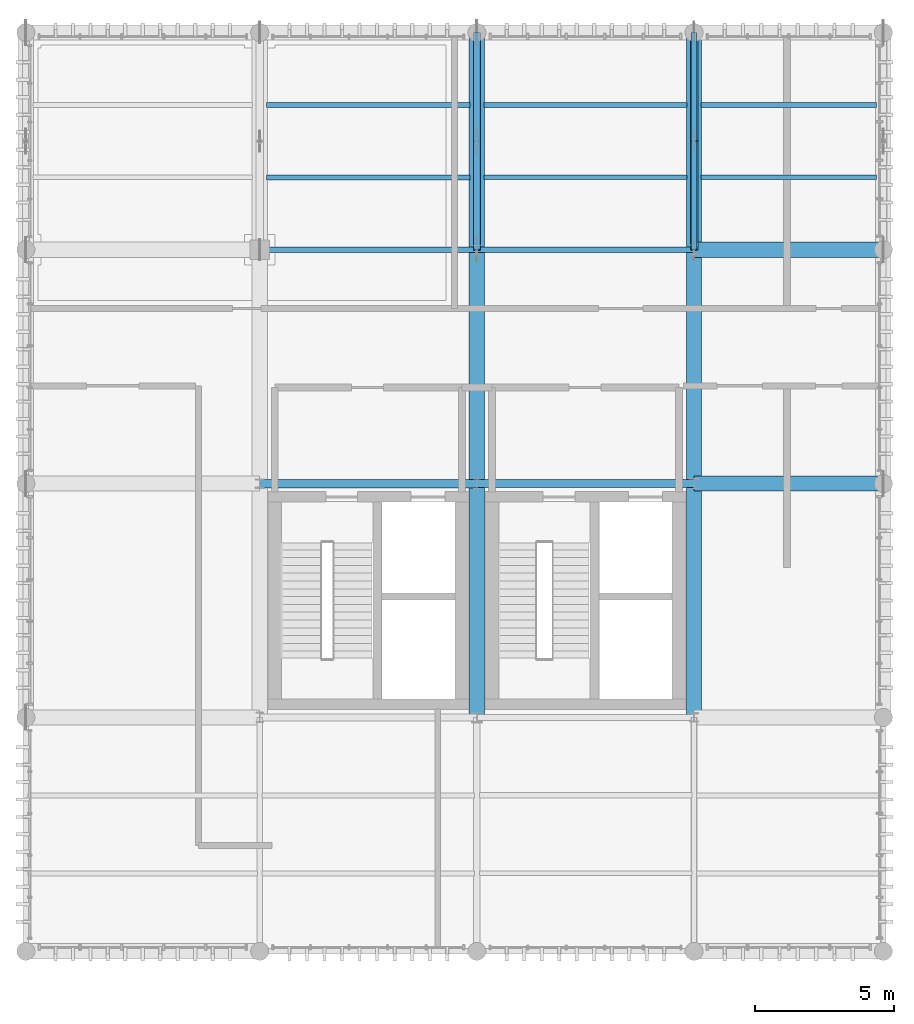
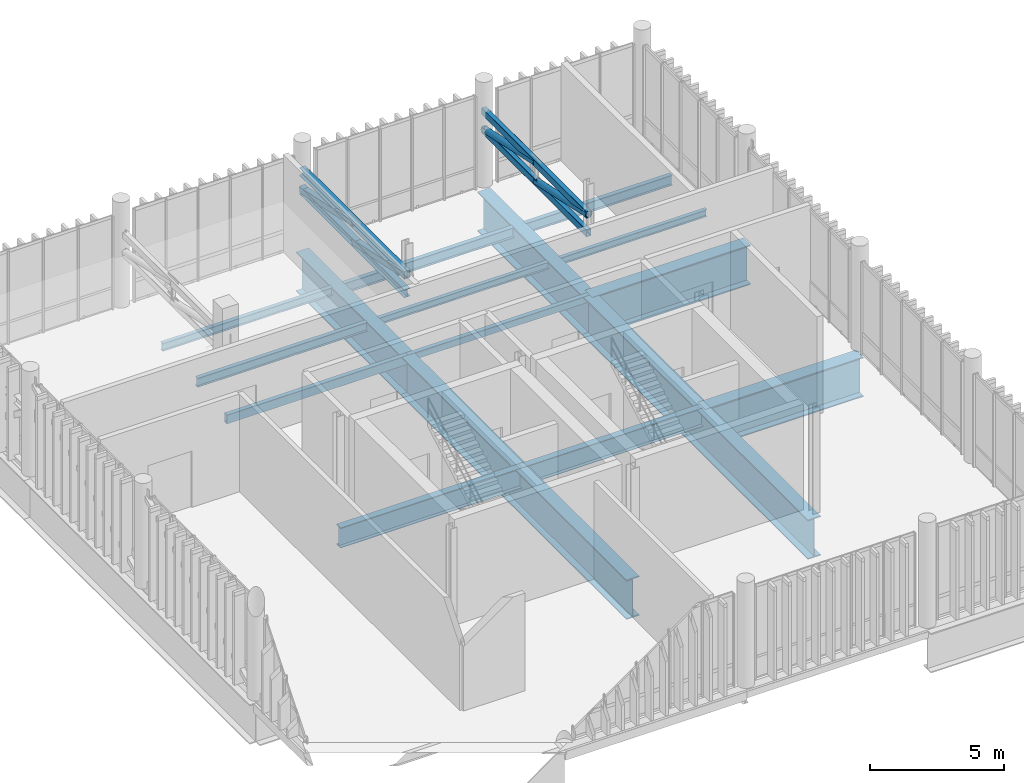
# One storey, part 48 of 81: 16 beams, 8 members.
"""IFC4 building model written with IfcOpenShell, lengths in metres."""

import ifcopenshell
import ifcopenshell.guid

model = None  # the IFC model being written
_history = None  # IfcOwnerHistory: only IFC2X3 demands one
_inside = {}  # id of a spatial element -> (the spatial element, [elements in it])
_under = {}  # id of a project, library or spatial element -> (it, [spatial elements below it])
_declared = {}  # id of a project -> (the project, [libraries it declares])
_typed = {}  # id of a type object -> (the type object, [elements of that type])
_made_of = {}  # id of a material, layer set ... -> (it, [elements and type objects made of it])


def new_model(schema):
    """Start an empty IFC model of exactly this schema.

    Asked for "IFC4X3", IfcOpenShell would pick the latest addendum, in which some entities
    have other attributes; the version numbers below select the first issue.
    IFC2X3 requires an IfcOwnerHistory on every rooted entity: one is made here for all.
    """
    global model, _history
    if schema == "IFC4X3":
        model = ifcopenshell.file(schema_version=(4, 3, 0, 0))
    else:
        model = ifcopenshell.file(schema=schema)
    _inside.clear()
    _under.clear()
    _declared.clear()
    _typed.clear()
    _made_of.clear()
    _history = None
    if model.schema == "IFC2X3":
        org = make("IfcOrganization", Name="unknown")
        user = make(
            "IfcPersonAndOrganization",
            ThePerson=make("IfcPerson", FamilyName="unknown"),
            TheOrganization=org,
        )
        app = make(
            "IfcApplication",
            ApplicationDeveloper=org,
            Version="unknown",
            ApplicationFullName="unknown",
            ApplicationIdentifier="unknown",
        )
        _history = make(
            "IfcOwnerHistory",
            OwningUser=user,
            OwningApplication=app,
            ChangeAction="ADDED",
            CreationDate=0,
        )
    return model


def make(cls, **values):
    """One entity of the class cls with the attributes given. An attribute that is None is left unset."""
    return model.create_entity(
        cls, **{name: value for name, value in values.items() if value is not None}
    )


def rooted(cls, **values):
    """An entity with a GlobalId (a new one), such as an element, a storey or a relation."""
    return make(cls, GlobalId=ifcopenshell.guid.new(), OwnerHistory=_history, **values)


def si_unit(unit_type, name, prefix=None):
    """IfcSIUnit, for example si_unit("LENGTHUNIT", "METRE", prefix="MILLI")."""
    return make("IfcSIUnit", UnitType=unit_type, Prefix=prefix, Name=name)


def assignment(units):
    """IfcUnitAssignment: the units of a project."""
    return None if units is None else make("IfcUnitAssignment", Units=units)


def point(xyz):
    """IfcCartesianPoint."""
    return None if xyz is None else make("IfcCartesianPoint", Coordinates=xyz)


def direction(xyz):
    """IfcDirection."""
    return None if xyz is None else make("IfcDirection", DirectionRatios=xyz)


def frame(location, z_axis=None, x_axis=None):
    """IfcAxis2Placement3D, a coordinate frame: its origin and axes. An axis left out is left unset."""
    return make(
        "IfcAxis2Placement3D",
        Location=point(location),
        Axis=direction(z_axis),
        RefDirection=direction(x_axis),
    )


def frame_2d(location, x_axis=None):
    """IfcAxis2Placement2D, a coordinate frame in the plane: its origin and x axis."""
    return make(
        "IfcAxis2Placement2D", Location=point(location), RefDirection=direction(x_axis)
    )


def origin_with_axes():
    """The frame at (0, 0, 0) with the z axis (0, 0, 1) and the x axis (1, 0, 0) written out."""
    return frame((0.0, 0.0, 0.0), z_axis=(0.0, 0.0, 1.0), x_axis=(1.0, 0.0, 0.0))


def origin_2d_with_axis():
    """The frame at (0, 0) in the plane with the x axis (1, 0) written out."""
    return frame_2d((0.0, 0.0), x_axis=(1.0, 0.0))


def place(relative_to, where):
    """IfcLocalPlacement: puts the frame where relative to a parent placement (None: the world)."""
    return make(
        "IfcLocalPlacement", PlacementRelTo=relative_to, RelativePlacement=where
    )


def context(
    kind, dimensions, precision=None, world=None, true_north=None, identifier=None
):
    """IfcGeometricRepresentationContext, for example the 3D "Model" context."""
    return make(
        "IfcGeometricRepresentationContext",
        ContextIdentifier=identifier,
        ContextType=kind,
        CoordinateSpaceDimension=dimensions,
        Precision=precision,
        WorldCoordinateSystem=world,
        TrueNorth=true_north,
    )


def subcontext(parent, identifier, kind, view, scale=None):
    """IfcGeometricRepresentationSubContext, for example "Body" below "Model"."""
    return make(
        "IfcGeometricRepresentationSubContext",
        ContextIdentifier=identifier,
        ContextType=kind,
        ParentContext=parent,
        TargetScale=scale,
        TargetView=view,
    )


def project(units=None, contexts=None):
    """IfcProject with its units and contexts."""
    return rooted(
        "IfcProject",
        Name="project",
        RepresentationContexts=contexts,
        UnitsInContext=assignment(units),
    )


def spatial(cls, under=None, at=None, **own):
    """A site, building, storey or space (cls), placed at a placement, below another one or the project."""
    s = rooted(cls, ObjectPlacement=at, **own)
    if under is not None:
        _under.setdefault(under.id(), (under, []))[1].append(s)
    return s


def profile(cls, at=None, kind="AREA", **sizes):
    """A parametric profile (cls). Its sizes go by their IFC names, for example OverallWidth=200.0."""
    return make(cls, ProfileType=kind, Position=at, **sizes)


def hollow_rectangle(**sizes):
    """IfcRectangleHollowProfileDef."""
    return profile("IfcRectangleHollowProfileDef", **sizes)


def hollow_circle(**sizes):
    """IfcCircleHollowProfileDef."""
    return profile("IfcCircleHollowProfileDef", **sizes)


def i_section(**sizes):
    """IfcIShapeProfileDef."""
    return profile("IfcIShapeProfileDef", **sizes)


def extrude(swept, where, along, depth):
    """IfcExtrudedAreaSolid: the profile swept, set in the frame where, extruded along a direction by depth."""
    return make(
        "IfcExtrudedAreaSolid",
        SweptArea=swept,
        Position=where,
        ExtrudedDirection=direction(along),
        Depth=depth,
    )


def shape(context_of_items, identifier, shape_type, items):
    """IfcShapeRepresentation: the items that make up one representation, for example the "Body"."""
    return make(
        "IfcShapeRepresentation",
        ContextOfItems=context_of_items,
        RepresentationIdentifier=identifier,
        RepresentationType=shape_type,
        Items=items,
    )


def material(Name=None, Category=None):
    """IfcMaterial."""
    return make("IfcMaterial", Name=Name, Category=Category)


def material_profile(
    of_material, cross_section, Name=None, Category=None, Priority=None
):
    """IfcMaterialProfile: a cross section and its material."""
    return make(
        "IfcMaterialProfile",
        Name=Name,
        Material=of_material,
        Profile=cross_section,
        Priority=Priority,
        Category=Category,
    )


def profile_set(profiles, Name=None, composite=None):
    """IfcMaterialProfileSet."""
    return make(
        "IfcMaterialProfileSet",
        Name=Name,
        MaterialProfiles=profiles,
        CompositeProfile=composite,
    )


def made_of(thing, what):
    """Note that an element or type object is made of a material, layer set ...; save() writes the relation."""
    if what is not None:
        _made_of.setdefault(what.id(), (what, []))[1].append(thing)
    return thing


def type_object(cls, material=None, **own):
    """A type object (cls), such as IfcWallType, which elements share."""
    return made_of(rooted(cls, **own), material)


def element(
    cls,
    number,
    at=None,
    inside=None,
    cuts=None,
    type_object=None,
    material=None,
    context=None,
    identifier="Body",
    shape_type=None,
    held_by="IfcProductDefinitionShape",
    body=None,
    shapes=None,
    **own,
):
    """One element of the class cls, such as IfcWall. Its Tag is "e" and its number.

    at: its placement. inside: the storey or other place that contains it. cuts: it is an
    opening in that element (IfcRelVoidsElement). A single representation is given by context,
    identifier, shape_type and body (its items); several are given by shapes. held_by: the class
    of the entity that holds the representations. save() writes the other relations.
    """
    e = rooted(cls, Tag="e%d" % number, ObjectPlacement=at, **own)
    if body is not None:
        shapes = [shape(context, identifier, shape_type, body)]
    if shapes is not None:
        e.Representation = make(held_by, Representations=shapes)
    if inside is not None:
        _inside.setdefault(inside.id(), (inside, []))[1].append(e)
    if cuts is not None:
        rooted(
            "IfcRelVoidsElement", RelatingBuildingElement=cuts, RelatedOpeningElement=e
        )
    if type_object is not None:
        _typed.setdefault(type_object.id(), (type_object, []))[1].append(e)
    return made_of(e, material)


def aggregate(whole, parts):
    """IfcRelAggregates: a whole, such as a stair, and the parts it consists of."""
    return rooted("IfcRelAggregates", RelatingObject=whole, RelatedObjects=parts)


def save(model, path):
    """Write the relations noted so far, then the file.

    IfcRelAggregates (storeys below a building ...), IfcRelContainedInSpatialStructure (elements
    in a storey), IfcRelDefinesByType, IfcRelAssociatesMaterial and IfcRelDeclares: one each for
    every whole, place, type object, material and project.
    """
    for whole, parts in _under.values():
        aggregate(whole, parts)
    for where, things in _inside.values():
        rooted(
            "IfcRelContainedInSpatialStructure",
            RelatedElements=things,
            RelatingStructure=where,
        )
    for kind, things in _typed.values():
        rooted("IfcRelDefinesByType", RelatedObjects=things, RelatingType=kind)
    for what, things in _made_of.values():
        rooted("IfcRelAssociatesMaterial", RelatedObjects=things, RelatingMaterial=what)
    for by, libraries in _declared.values():
        rooted("IfcRelDeclares", RelatingContext=by, RelatedDefinitions=libraries)
    model.write(path)


model = new_model("IFC4")

# Units and contexts
model_context = context("Model", 3, precision=1e-05, world=origin_with_axes(), true_north=direction((0.0, 1.0)))
body_context = subcontext(model_context, "Body", "Model", "MODEL_VIEW")
ifc_project = project(units=[si_unit("LENGTHUNIT", "METRE"), si_unit("AREAUNIT", "SQUARE_METRE"), si_unit("VOLUMEUNIT", "CUBIC_METRE"), si_unit("PLANEANGLEUNIT", "RADIAN"), si_unit("MASSUNIT", "GRAM", prefix="KILO"), si_unit("THERMODYNAMICTEMPERATUREUNIT", "KELVIN")], contexts=[model_context])

# Site, building, storey
site_placement = place(None, origin_with_axes())
site = spatial("IfcSite", under=ifc_project, at=site_placement, CompositionType="ELEMENT")
building_placement = place(site_placement, origin_with_axes())
building = spatial("IfcBuilding", under=site, at=building_placement, Name="Montbau Bow Law Courts", CompositionType="ELEMENT")
storey_placement = place(building_placement, frame((0.0, 0.0, 24.9), z_axis=(0.0, 0.0, 1.0), x_axis=(1.0, 0.0, 0.0)))
storey = spatial("IfcBuildingStorey", under=building, at=storey_placement, Name="L05", CompositionType="ELEMENT", Elevation=24.9)

# Beams
ifc_material_1 = material(Name="Steel CSA G40.21 Grade 350W (350 MPa)", Category="steel")
ifc_material_profile_1 = material_profile(ifc_material_1, i_section(OverallWidth=0.306, OverallDepth=0.919, WebThickness=0.0173, FlangeThickness=0.0279, at=origin_2d_with_axis()), Name="W920X253", Category="Main", Priority=0)
ifc_profile_set_1 = profile_set([ifc_material_profile_1], Name="Steel CSA G40.21 Grade 350W (350 MPa)")
beam_type_1 = type_object("IfcBeamType", Name="B-FLR-01", PredefinedType="BEAM", material=ifc_profile_set_1)
beam_1_placement = place(None, frame((147.0, 94.8, 24.141), z_axis=(1.0, 0.0, 0.0), x_axis=(0.0, 1.0, 0.0)))
element("IfcBeam", 1, at=beam_1_placement, inside=storey, type_object=beam_type_1, Name="BM-L05-S1289:bm2_1292", PredefinedType="BEAM", context=body_context, shape_type="SweptSolid", body=[
    extrude(i_section(OverallWidth=0.306, OverallDepth=0.919, WebThickness=0.0173, FlangeThickness=0.0279, at=origin_2d_with_axis()), origin_with_axes(), (0.0, 0.0, 1.0), 7.8),
])
ifc_material_profile_2 = material_profile(ifc_material_1, i_section(OverallWidth=0.293, OverallDepth=0.846, WebThickness=0.0154, FlangeThickness=0.0244, at=origin_2d_with_axis()), Name="W840X210", Category="Main", Priority=0)
ifc_profile_set_2 = profile_set([ifc_material_profile_2], Name="Steel CSA G40.21 Grade 350W (350 MPa)")
beam_type_2 = type_object("IfcBeamType", Name="B-FLR-02", PredefinedType="BEAM", material=ifc_profile_set_2)
beam_2_placement = place(None, frame((154.8, 94.8, 24.177), z_axis=(1.0, 0.0, 0.0), x_axis=(0.0, 1.0, 0.0)))
element("IfcBeam", 2, at=beam_2_placement, inside=storey, type_object=beam_type_2, Name="BM-L05-S1290:bm2_1293", PredefinedType="BEAM", context=body_context, shape_type="SweptSolid", body=[
    extrude(i_section(OverallWidth=0.293, OverallDepth=0.846, WebThickness=0.0154, FlangeThickness=0.0244, at=origin_2d_with_axis()), origin_with_axes(), (0.0, 0.0, 1.0), 7.8),
])
ifc_material_profile_3 = material_profile(ifc_material_1, i_section(OverallWidth=0.191, OverallDepth=0.46, WebThickness=0.0099, FlangeThickness=0.016, at=origin_2d_with_axis()), Name="W460X82", Category="Main", Priority=0)
ifc_profile_set_3 = profile_set([ifc_material_profile_3], Name="Steel CSA G40.21 Grade 350W (350 MPa)")
beam_type_3 = type_object("IfcBeamType", Name="B-JST-01", PredefinedType="JOIST", material=ifc_profile_set_3)
beam_3_placement = place(None, frame((155.051, 108.4, 24.37), z_axis=(1.0, 0.0, 0.0), x_axis=(0.0, 1.0, 0.0)))
element("IfcBeam", 3, at=beam_3_placement, inside=storey, type_object=beam_type_3, Name="JST-L05-S0704:jst2_0704", PredefinedType="JOIST", context=body_context, shape_type="SweptSolid", body=[
    extrude(i_section(OverallWidth=0.191, OverallDepth=0.46, WebThickness=0.0099, FlangeThickness=0.016, at=origin_2d_with_axis()), origin_with_axes(), (0.0, 0.0, 1.0), 7.298),
])
beam_4_placement = place(None, frame((162.851, 108.4, 24.37), z_axis=(1.0, 0.0, 0.0), x_axis=(0.0, 1.0, 0.0)))
element("IfcBeam", 4, at=beam_4_placement, inside=storey, type_object=beam_type_3, Name="JST-L05-S0708:jst2_0708", PredefinedType="JOIST", context=body_context, shape_type="SweptSolid", body=[
    extrude(i_section(OverallWidth=0.191, OverallDepth=0.46, WebThickness=0.0099, FlangeThickness=0.016, at=origin_2d_with_axis()), origin_with_axes(), (0.0, 0.0, 1.0), 6.298),
])
ifc_material_profile_4 = material_profile(ifc_material_1, i_section(OverallWidth=0.179, OverallDepth=0.41, WebThickness=0.0088, FlangeThickness=0.0144, at=origin_2d_with_axis()), Name="W410X67", Category="Main", Priority=0)
ifc_profile_set_4 = profile_set([ifc_material_profile_4], Name="Steel CSA G40.21 Grade 350W (350 MPa)")
beam_type_4 = type_object("IfcBeamType", Name="B-JST-02", PredefinedType="JOIST", material=ifc_profile_set_4)
beam_5_placement = place(None, frame((147.251, 105.8, 24.395), z_axis=(1.0, 0.0, 0.0), x_axis=(0.0, 1.0, 0.0)))
element("IfcBeam", 5, at=beam_5_placement, inside=storey, type_object=beam_type_4, Name="JST-L05-S0701:jst2_0701", PredefinedType="JOIST", context=body_context, shape_type="SweptSolid", body=[
    extrude(i_section(OverallWidth=0.179, OverallDepth=0.41, WebThickness=0.0088, FlangeThickness=0.0144, at=origin_2d_with_axis()), origin_with_axes(), (0.0, 0.0, 1.0), 7.298),
])
ifc_material_profile_5 = material_profile(ifc_material_1, i_section(OverallWidth=0.172, OverallDepth=0.358, WebThickness=0.0079, FlangeThickness=0.0131, at=origin_2d_with_axis()), Name="W360X57", Category="Main", Priority=0)
ifc_profile_set_5 = profile_set([ifc_material_profile_5], Name="Steel CSA G40.21 Grade 350W (350 MPa)")
beam_type_5 = type_object("IfcBeamType", Name="B-JST-03", PredefinedType="JOIST", material=ifc_profile_set_5)
beam_6_placement = place(None, frame((147.251, 108.4, 24.421), z_axis=(1.0, 0.0, 0.0), x_axis=(0.0, 1.0, 0.0)))
element("IfcBeam", 6, at=beam_6_placement, inside=storey, type_object=beam_type_5, Name="JST-L05-S0702:jst2_0702", PredefinedType="JOIST", context=body_context, shape_type="SweptSolid", body=[
    extrude(i_section(OverallWidth=0.172, OverallDepth=0.358, WebThickness=0.0079, FlangeThickness=0.0131, at=origin_2d_with_axis()), origin_with_axes(), (0.0, 0.0, 1.0), 7.298),
])
ifc_material_profile_6 = material_profile(ifc_material_1, i_section(OverallWidth=0.166, OverallDepth=0.313, WebThickness=0.0066, FlangeThickness=0.0112, at=origin_2d_with_axis()), Name="W310X45", Category="Main", Priority=0)
ifc_profile_set_6 = profile_set([ifc_material_profile_6], Name="Steel CSA G40.21 Grade 350W (350 MPa)")
beam_type_6 = type_object("IfcBeamType", Name="B-JST-04", PredefinedType="JOIST", material=ifc_profile_set_6)
beam_7_placement = place(None, frame((155.051, 105.8, 24.444), z_axis=(1.0, 0.0, 0.0), x_axis=(0.0, 1.0, 0.0)))
element("IfcBeam", 7, at=beam_7_placement, inside=storey, type_object=beam_type_6, Name="JST-L05-S0703:jst2_0703", PredefinedType="JOIST", context=body_context, shape_type="SweptSolid", body=[
    extrude(i_section(OverallWidth=0.166, OverallDepth=0.313, WebThickness=0.0066, FlangeThickness=0.0112, at=origin_2d_with_axis()), origin_with_axes(), (0.0, 0.0, 1.0), 7.298),
])
beam_8_placement = place(None, frame((162.851, 105.8, 24.444), z_axis=(1.0, 0.0, 0.0), x_axis=(0.0, 1.0, 0.0)))
element("IfcBeam", 8, at=beam_8_placement, inside=storey, type_object=beam_type_6, Name="JST-L05-S0707:jst2_0707", PredefinedType="JOIST", context=body_context, shape_type="SweptSolid", body=[
    extrude(i_section(OverallWidth=0.166, OverallDepth=0.313, WebThickness=0.0066, FlangeThickness=0.0112, at=origin_2d_with_axis()), origin_with_axes(), (0.0, 0.0, 1.0), 6.298),
])
ifc_material_2 = material(Name="Steel CSA G40.21 Grade 350WT (350 MPa)", Category="steel")
ifc_material_profile_7 = material_profile(ifc_material_2, hollow_rectangle(XDim=0.203, YDim=0.406, WallThickness=0.0127, InnerFilletRadius=0.0254, OuterFilletRadius=0.0127, at=origin_2d_with_axis()), Name="HSS406X203X13", Category="Main", Priority=0)
ifc_profile_set_7 = profile_set([ifc_material_profile_7], Name="Steel CSA G40.21 Grade 350WT (350 MPa)")
beam_type_7 = type_object("IfcBeamType", Name="B-SPN-01", PredefinedType="SPANDREL", material=ifc_profile_set_7)
beam_9_placement = place(None, frame((147.0, 103.2, 24.397), z_axis=(1.0, 0.0, 0.0), x_axis=(0.0, 1.0, 0.0)))
element("IfcBeam", 9, at=beam_9_placement, inside=storey, type_object=beam_type_7, Name="SPN-L05-S1291:bm2_1294", PredefinedType="SPANDREL", context=body_context, shape_type="SweptSolid", body=[
    extrude(hollow_rectangle(XDim=0.203, YDim=0.406, WallThickness=0.0127, InnerFilletRadius=0.0254, OuterFilletRadius=0.0127, at=origin_2d_with_axis()), origin_with_axes(), (0.0, 0.0, 1.0), 7.8),
])
ifc_material_profile_8 = material_profile(ifc_material_2, hollow_rectangle(XDim=0.203, YDim=0.305, WallThickness=0.0127, InnerFilletRadius=0.0254, OuterFilletRadius=0.0127, at=origin_2d_with_axis()), Name="HSS305X203X13", Category="Main", Priority=0)
ifc_profile_set_8 = profile_set([ifc_material_profile_8], Name="Steel CSA G40.21 Grade 350WT (350 MPa)")
beam_type_8 = type_object("IfcBeamType", Name="B-SPN-02", PredefinedType="SPANDREL", material=ifc_profile_set_8)
beam_10_placement = place(None, frame((154.8, 103.2, 24.448), z_axis=(1.0, 0.0, 0.0), x_axis=(0.0, 1.0, 0.0)))
element("IfcBeam", 10, at=beam_10_placement, inside=storey, type_object=beam_type_8, Name="SPN-L05-S1292:bm2_1295", PredefinedType="SPANDREL", context=body_context, shape_type="SweptSolid", body=[
    extrude(hollow_rectangle(XDim=0.203, YDim=0.305, WallThickness=0.0127, InnerFilletRadius=0.0254, OuterFilletRadius=0.0127, at=origin_2d_with_axis()), origin_with_axes(), (0.0, 0.0, 1.0), 7.8),
])
ifc_material_profile_9 = material_profile(ifc_material_2, i_section(OverallWidth=0.55, OverallDepth=1.8, WebThickness=0.022, FlangeThickness=0.05, at=origin_2d_with_axis()), Name="WWF1800X550", Category="Main", Priority=0)
ifc_profile_set_9 = profile_set([ifc_material_profile_9], Name="Steel CSA G40.21 Grade 350WT (350 MPa)")
beam_type_9 = type_object("IfcBeamType", Name="B-TRG-01", PredefinedType="USERDEFINED", material=ifc_profile_set_9)
beam_11_placement = place(None, frame((154.8, 86.4, 23.7), z_axis=(0.0, 1.0, 0.0), x_axis=(-1.0, 0.0, 0.0)))
element("IfcBeam", 11, at=beam_11_placement, inside=storey, type_object=beam_type_9, Name="TRG-L05-S0080:bm2_0083", ObjectType="GIRDER", PredefinedType="USERDEFINED", context=body_context, shape_type="SweptSolid", body=[
    extrude(i_section(OverallWidth=0.55, OverallDepth=1.8, WebThickness=0.022, FlangeThickness=0.05, at=origin_2d_with_axis()), origin_with_axes(), (0.0, 0.0, 1.0), 16.8),
])
beam_12_placement = place(None, frame((154.8, 103.2, 23.7), z_axis=(0.0, 1.0, 0.0), x_axis=(-1.0, 0.0, 0.0)))
element("IfcBeam", 12, at=beam_12_placement, inside=storey, type_object=beam_type_9, Name="TRG-L05-S0081:bm2_0084", ObjectType="GIRDER", PredefinedType="USERDEFINED", context=body_context, shape_type="SweptSolid", body=[
    extrude(i_section(OverallWidth=0.55, OverallDepth=1.8, WebThickness=0.022, FlangeThickness=0.05, at=origin_2d_with_axis()), origin_with_axes(), (0.0, 0.0, 1.0), 7.8),
])
beam_13_placement = place(None, frame((162.6, 86.4, 23.7), z_axis=(0.0, 1.0, 0.0), x_axis=(-1.0, 0.0, 0.0)))
element("IfcBeam", 13, at=beam_13_placement, inside=storey, type_object=beam_type_9, Name="TRG-L05-S0082:bm2_0085", ObjectType="GIRDER", PredefinedType="USERDEFINED", context=body_context, shape_type="SweptSolid", body=[
    extrude(i_section(OverallWidth=0.55, OverallDepth=1.8, WebThickness=0.022, FlangeThickness=0.05, at=origin_2d_with_axis()), origin_with_axes(), (0.0, 0.0, 1.0), 16.8),
])
beam_14_placement = place(None, frame((162.6, 103.2, 23.7), z_axis=(0.0, 1.0, 0.0), x_axis=(-1.0, 0.0, 0.0)))
element("IfcBeam", 14, at=beam_14_placement, inside=storey, type_object=beam_type_9, Name="TRG-L05-S0083:bm2_0086", ObjectType="GIRDER", PredefinedType="USERDEFINED", context=body_context, shape_type="SweptSolid", body=[
    extrude(i_section(OverallWidth=0.55, OverallDepth=1.8, WebThickness=0.022, FlangeThickness=0.05, at=origin_2d_with_axis()), origin_with_axes(), (0.0, 0.0, 1.0), 7.8),
])
for number, where, z_axis, x_axis, name in (
    (15, (162.6, 94.8, 23.7), (1.0, 0.0, 0.0), (0.0, 1.0, 0.0), "TRG-L05-S0093:bm2_0096"),
    (16, (162.6, 103.2, 23.7), (1.0, 0.0, 0.0), (0.0, 1.0, 0.0), "TRG-L05-S0095:bm2_0098"),
):
    element("IfcBeam", number, at=place(None, frame(where, z_axis=z_axis, x_axis=x_axis)), inside=storey, type_object=beam_type_9, Name=name, ObjectType="GIRDER", PredefinedType="USERDEFINED", context=body_context, shape_type="SweptSolid", body=[
        extrude(i_section(OverallWidth=0.55, OverallDepth=1.8, WebThickness=0.022, FlangeThickness=0.05, at=origin_2d_with_axis()), origin_with_axes(), (0.0, 0.0, 1.0), 6.8),
    ])

# Members
ifc_material_profile_10 = material_profile(ifc_material_1, hollow_rectangle(XDim=0.254, YDim=0.254, WallThickness=0.0127, InnerFilletRadius=0.0254, OuterFilletRadius=0.0127, at=origin_2d_with_axis()), Name="HSS254X254X13", Category="Main", Priority=0)
ifc_profile_set_10 = profile_set([ifc_material_profile_10], Name="Steel CSA G40.21 Grade 350W (350 MPa)")
member_type_1 = type_object("IfcMemberType", Name="M-BRC-01", PredefinedType="BRACE", material=ifc_profile_set_10)
for number, where, z_axis, x_axis, name in (
    (17, (154.8, 103.2, 28.2), (0.0, 0.977581781, -0.210556076), (-1.0, 0.0, 0.0), "Diagonal brace BRC-L05-023"),
    (18, (154.8, 107.1, 28.2), (0.0, 0.977581781, -0.210556076), (-1.0, 0.0, 0.0), "Diagonal brace BRC-L05-024"),
):
    element("IfcMember", number, at=place(None, frame(where, z_axis=z_axis, x_axis=x_axis)), inside=storey, type_object=member_type_1, Name=name, PredefinedType="BRACE", context=body_context, shape_type="SweptSolid", body=[
        extrude(hollow_rectangle(XDim=0.254, YDim=0.254, WallThickness=0.0127, InnerFilletRadius=0.0254, OuterFilletRadius=0.0127, at=origin_2d_with_axis()), origin_with_axes(), (0.0, 0.0, 1.0), 3.989436),
    ])
ifc_material_profile_11 = material_profile(ifc_material_1, hollow_circle(Radius=0.1365, WallThickness=0.0127, at=origin_2d_with_axis()), Name="HSS273X13", Category="Main", Priority=0)
ifc_profile_set_11 = profile_set([ifc_material_profile_11], Name="Steel CSA G40.21 Grade 350W (350 MPa)")
member_type_2 = type_object("IfcMemberType", Name="M-BRC-03", PredefinedType="BRACE", material=ifc_profile_set_11)
for number, where, z_axis, x_axis, name in (
    (19, (162.6, 103.2, 28.2), (0.0, 0.977581781, -0.210556076), (-1.0, 0.0, 0.0), "Diagonal brace BRC-L05-025"),
    (20, (162.6, 107.1, 28.2), (0.0, 0.977581781, -0.210556076), (-1.0, 0.0, 0.0), "Diagonal brace BRC-L05-026"),
):
    element("IfcMember", number, at=place(None, frame(where, z_axis=z_axis, x_axis=x_axis)), inside=storey, type_object=member_type_2, Name=name, PredefinedType="BRACE", context=body_context, shape_type="SweptSolid", body=[
        extrude(hollow_circle(Radius=0.1365, WallThickness=0.0127, at=origin_2d_with_axis()), origin_with_axes(), (0.0, 0.0, 1.0), 3.989436),
    ])
ifc_material_profile_12 = material_profile(ifc_material_2, i_section(OverallWidth=0.257, OverallDepth=0.363, WebThickness=0.013, FlangeThickness=0.0217, at=origin_2d_with_axis()), Name="W360X122", Category="Main", Priority=0)
ifc_profile_set_12 = profile_set([ifc_material_profile_12], Name="Steel CSA G40.21 Grade 350WT (350 MPa)")
member_type_3 = type_object("IfcMemberType", Name="M-CHD-01", PredefinedType="CHORD", material=ifc_profile_set_12)
for number, where, z_axis, x_axis, name in (
    (21, (154.8, 103.2, 27.36), (0.0, 1.0, 0.0), (-1.0, 0.0, 0.0), "CHB-L05-12:chb_0012"),
    (22, (154.8, 103.2, 28.2), (0.0, 1.0, 0.0), (-1.0, 0.0, 0.0), "CHD-L05-12:mbr_0045"),
):
    element("IfcMember", number, at=place(None, frame(where, z_axis=z_axis, x_axis=x_axis)), inside=storey, type_object=member_type_3, Name=name, PredefinedType="CHORD", context=body_context, shape_type="SweptSolid", body=[
        extrude(i_section(OverallWidth=0.257, OverallDepth=0.363, WebThickness=0.013, FlangeThickness=0.0217, at=origin_2d_with_axis()), origin_with_axes(), (0.0, 0.0, 1.0), 7.8),
    ])
ifc_material_profile_13 = material_profile(ifc_material_2, hollow_rectangle(XDim=0.203, YDim=0.305, WallThickness=0.0127, InnerFilletRadius=0.0254, OuterFilletRadius=0.0127, at=origin_2d_with_axis()), Name="HSS305X203X13", Category="Main", Priority=0)
ifc_profile_set_13 = profile_set([ifc_material_profile_13], Name="Steel CSA G40.21 Grade 350WT (350 MPa)")
member_type_4 = type_object("IfcMemberType", Name="M-CHD-02", PredefinedType="CHORD", material=ifc_profile_set_13)
for number, where, z_axis, x_axis, name in (
    (23, (162.6, 103.2, 27.36), (0.0, 1.0, 0.0), (-1.0, 0.0, 0.0), "CHB-L05-13:chb_0013"),
    (24, (162.6, 103.2, 28.2), (0.0, 1.0, 0.0), (-1.0, 0.0, 0.0), "CHD-L05-13:mbr_0049"),
):
    element("IfcMember", number, at=place(None, frame(where, z_axis=z_axis, x_axis=x_axis)), inside=storey, type_object=member_type_4, Name=name, PredefinedType="CHORD", context=body_context, shape_type="SweptSolid", body=[
        extrude(hollow_rectangle(XDim=0.203, YDim=0.305, WallThickness=0.0127, InnerFilletRadius=0.0254, OuterFilletRadius=0.0127, at=origin_2d_with_axis()), origin_with_axes(), (0.0, 0.0, 1.0), 7.8),
    ])

save(model, "model.ifc")
